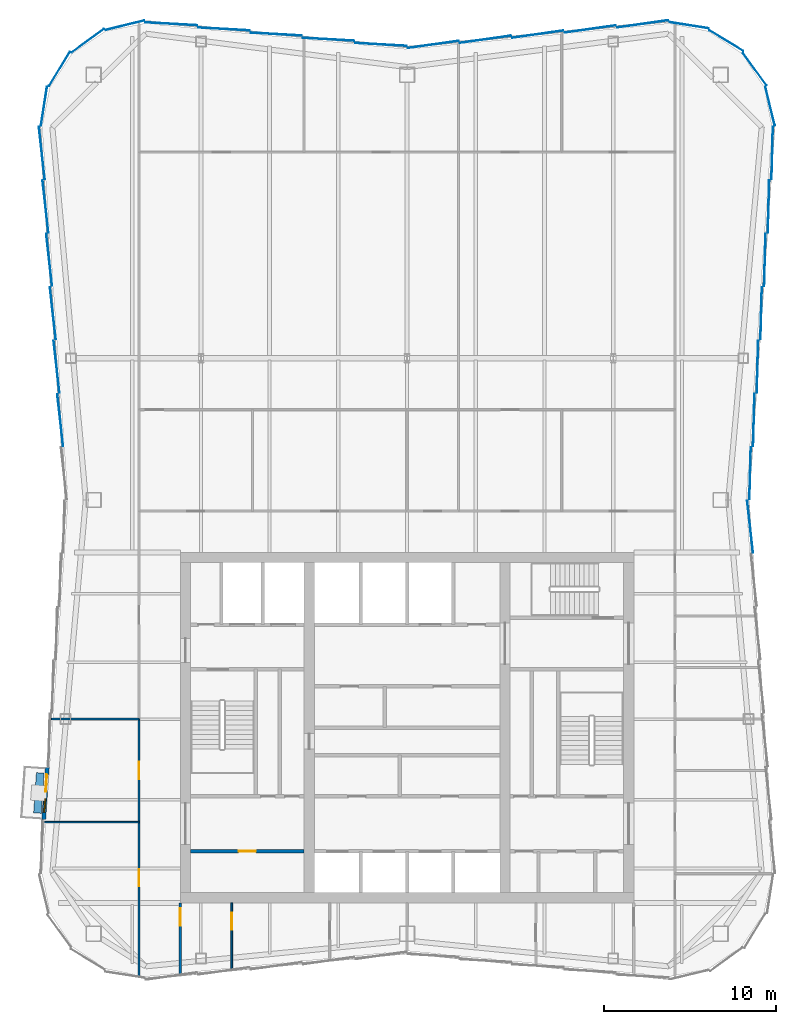
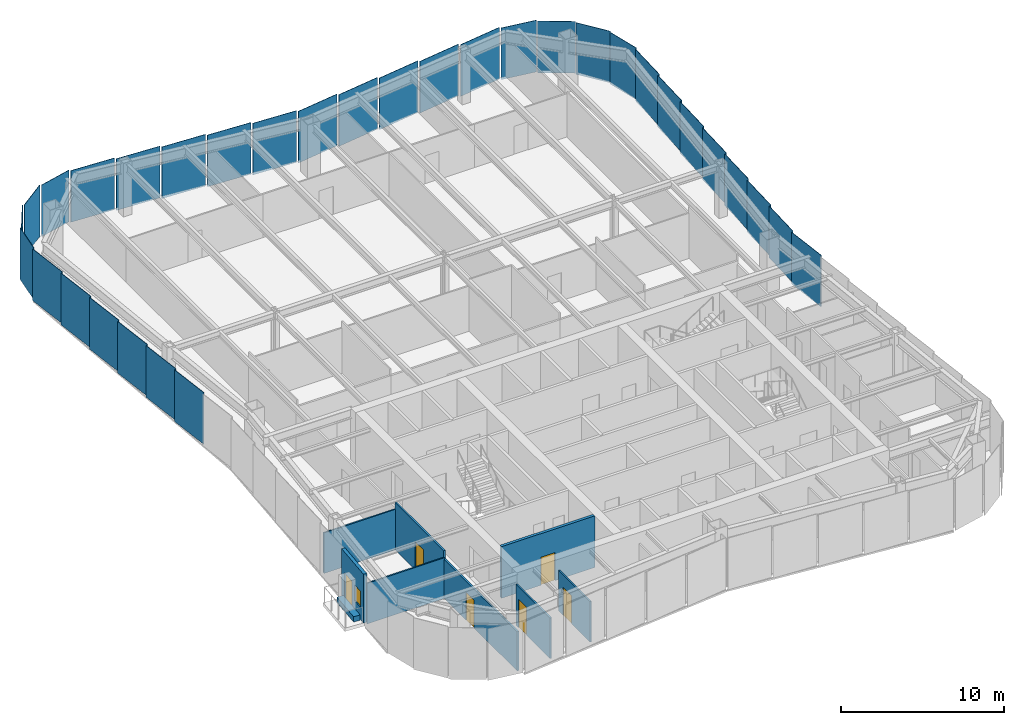
# One storey, part 5 of 10: 32 plates, 9 walls, 6 doors, 1 window, 7 openings, 5 elements without a shape of their own.
"""IFC4 building model written with IfcOpenShell, lengths in metres."""

from ifc_helpers import new_model, si_unit, direction, frame, frame_2d, origin, origin_2d, place, context, subcontext, project, spatial, rectangle, extrude, material, layer, layer_set, type_object, element, fill, aggregate, save


model = new_model("IFC4")

# Units and contexts
model_context = context("Model", 3, precision=1e-05, world=origin(), true_north=direction((0.0, 1.0)))
body_context = subcontext(model_context, "Body", "Model", "MODEL_VIEW")
ifc_project = project(units=[si_unit("LENGTHUNIT", "METRE"), si_unit("AREAUNIT", "SQUARE_METRE"), si_unit("VOLUMEUNIT", "CUBIC_METRE"), si_unit("PLANEANGLEUNIT", "RADIAN"), si_unit("MASSUNIT", "GRAM", prefix="KILO")], contexts=[model_context])

# Site, building, storey
site_placement = place(None, origin())
site = spatial("IfcSite", under=ifc_project, at=site_placement, CompositionType="ELEMENT")
building_placement = place(site_placement, origin())
building = spatial("IfcBuilding", under=site, at=building_placement, Name="Verdant Reach Tower", CompositionType="ELEMENT")
storey_placement = place(building_placement, frame((0.0, 0.0, 326.0)))
storey = spatial("IfcBuildingStorey", under=building, at=storey_placement, Name="L75", CompositionType="ELEMENT", Elevation=326.0)

# Curtain wall, plates
ifc_material_1 = material(Name="Anodised aluminium", Category="aluminium")
curtain_wall_type = type_object("IfcCurtainWallType", Name="EN-CW SYSTEM Z5", PredefinedType="NOTDEFINED", material=ifc_material_1)
curtain_wall_1_placement = place(storey_placement, origin())
curtain_wall_1 = element("IfcCurtainWall", 1, at=curtain_wall_1_placement, inside=storey, type_object=curtain_wall_type, Name="Curtain wall east, L75", PredefinedType="NOTDEFINED")
ifc_material_2 = material(Name="Tinted glass with champagne spandrel", Category="glass")
ifc_layer_1 = layer(ifc_material_2, 0.031982421875)
ifc_layer_set_1 = layer_set([ifc_layer_1], Name="EN-PANEL CHAMPAGNE")
plate_type_1 = type_object("IfcPlateType", Name="EN-PANEL CHAMPAGNE", PredefinedType="CURTAIN_PANEL", material=ifc_layer_set_1)
plate_1_placement = place(storey_placement, frame((19.971923828125, 39.700439453125, -0.219970703125), z_axis=(0.0, 0.0, 1.0), x_axis=(-0.110605344993, 0.993864406073, 0.0)))
plate_1 = element("IfcPlate", 2, at=plate_1_placement, type_object=plate_type_1, Name="Glass panel east face part 1 7.1, L75", PredefinedType="CURTAIN_PANEL", context=body_context, shape_type="SweptSolid", body=[
    extrude(rectangle(XDim=3.04052734375, YDim=0.031982421875, at=origin_2d()), origin(), (0.0, 0.0, 1.0), 3.8701171875),
])
plate_2_placement = place(storey_placement, frame((19.971923828125, 42.799560546875, -0.219970703125), z_axis=(0.0, 0.0, 1.0), x_axis=(0.027053006415, 0.999634000444, 0.0)))
plate_2 = element("IfcPlate", 3, at=plate_2_placement, type_object=plate_type_1, Name="Glass panel east face part 2 1.1, L75", PredefinedType="CURTAIN_PANEL", context=body_context, shape_type="SweptSolid", body=[
    extrude(rectangle(XDim=3.04052734375, YDim=0.031982421875, at=origin_2d()), origin(), (0.0, 0.0, 1.0), 3.8701171875),
])
plate_3_placement = place(storey_placement, frame((21.257568359375, 61.446044921875, -0.219970703125), z_axis=(0.0, 0.0, 1.0), x_axis=(0.026642881595, 0.999645015423, 0.0)))
plate_3 = element("IfcPlate", 4, at=plate_3_placement, type_object=plate_type_1, Name="Glass panel east face part 2 7.1, L75", PredefinedType="CURTAIN_PANEL", context=body_context, shape_type="SweptSolid", body=[
    extrude(rectangle(XDim=3.063720703125, YDim=0.031982421875, at=origin_2d()), origin(), (0.0, 0.0, 1.0), 3.8701171875),
])

curtain_wall_2_placement = place(storey_placement, origin())
curtain_wall_2 = element("IfcCurtainWall", 5, at=curtain_wall_2_placement, inside=storey, type_object=curtain_wall_type, Name="Curtain wall north, L75", PredefinedType="NOTDEFINED")
plate_4_placement = place(storey_placement, frame((4.563720703125, 68.064453125, -0.219970703125), z_axis=(0.0, 0.0, 1.0), x_axis=(-0.990225318365, -0.139476947446, 0.0)))
plate_4 = element("IfcPlate", 6, at=plate_4_placement, type_object=plate_type_1, Name="Glass panel north face part 1 4.1, L75", PredefinedType="CURTAIN_PANEL", context=body_context, shape_type="SweptSolid", body=[
    extrude(rectangle(XDim=2.998779296875, YDim=0.031982421875, at=origin_2d()), origin(), (0.0, 0.0, 1.0), 3.8701171875),
])
plate_5_placement = place(storey_placement, frame((1.519287109375, 67.7646484375, -0.219970703125), z_axis=(0.0, 0.0, 1.0), x_axis=(-0.990200074141, -0.139656053116, 0.0)))
plate_5 = element("IfcPlate", 7, at=plate_5_placement, type_object=plate_type_1, Name="Glass panel north face part 1 5.1, L75", PredefinedType="CURTAIN_PANEL", context=body_context, shape_type="SweptSolid", body=[
    extrude(rectangle(XDim=2.987548828125, YDim=0.031982421875, at=origin_2d()), origin(), (0.0, 0.0, 1.0), 3.8701171875),
])

# Curtain wall, plate
curtain_wall_3_placement = place(storey_placement, origin())
curtain_wall_3 = element("IfcCurtainWall", 8, at=curtain_wall_3_placement, inside=storey, type_object=curtain_wall_type, Name="Curtain wall north-west corner, L75", PredefinedType="NOTDEFINED")
plate_6_placement = place(storey_placement, frame((-21.132080078125, 64.173828125, -0.219970703125), z_axis=(0.0, 0.0, 1.0), x_axis=(-0.154337499461, -0.988018186199, 0.0)))
plate_6 = element("IfcPlate", 9, at=plate_6_placement, type_object=plate_type_1, Name="Glass panel north-west corner 4.1, L75", PredefinedType="CURTAIN_PANEL", context=body_context, shape_type="SweptSolid", body=[
    extrude(rectangle(XDim=2.312744140625, YDim=0.031982421875, at=origin_2d()), origin(), (0.0, 0.0, 1.0), 3.8701171875),
])

# Curtain wall, plates
curtain_wall_4_placement = place(storey_placement, origin())
curtain_wall_4 = element("IfcCurtainWall", 10, at=curtain_wall_4_placement, inside=storey, type_object=curtain_wall_type, Name="Curtain wall west, L75", PredefinedType="NOTDEFINED")
plate_7_placement = place(storey_placement, frame((-21.043212890625, 58.331298828125, -0.219970703125), z_axis=(0.0, 0.0, 1.0), x_axis=(0.110518162674, -0.993874104562, 0.0)))
plate_7 = element("IfcPlate", 11, at=plate_7_placement, type_object=plate_type_1, Name="Glass panel west face part 1 2.1, L75", PredefinedType="CURTAIN_PANEL", context=body_context, shape_type="SweptSolid", body=[
    extrude(rectangle(XDim=3.048583984375, YDim=0.031982421875, at=origin_2d()), origin(), (0.0, 0.0, 1.0), 3.8701171875),
])
plate_8_placement = place(storey_placement, frame((-20.8291015625, 55.22412109375, -0.219970703125), z_axis=(0.0, 0.0, 1.0), x_axis=(0.110518162674, -0.993874104562, 0.0)))
plate_8 = element("IfcPlate", 12, at=plate_8_placement, type_object=plate_type_1, Name="Glass panel west face part 1 3.1, L75", PredefinedType="CURTAIN_PANEL", context=body_context, shape_type="SweptSolid", body=[
    extrude(rectangle(XDim=3.048583984375, YDim=0.031982421875, at=origin_2d()), origin(), (0.0, 0.0, 1.0), 3.8701171875),
])
plate_9_placement = place(storey_placement, frame((-20.61474609375, 52.1171875, -0.219970703125), z_axis=(0.0, 0.0, 1.0), x_axis=(0.110518162674, -0.993874104562, 0.0)))
plate_9 = element("IfcPlate", 13, at=plate_9_placement, type_object=plate_type_1, Name="Glass panel west face part 1 4.1, L75", PredefinedType="CURTAIN_PANEL", context=body_context, shape_type="SweptSolid", body=[
    extrude(rectangle(XDim=3.048583984375, YDim=0.031982421875, at=origin_2d()), origin(), (0.0, 0.0, 1.0), 3.8701171875),
])

# Plate
ifc_material_3 = material(Name="Tinted glass with copper spandrel", Category="glass")
ifc_layer_2 = layer(ifc_material_3, 0.031982421875)
ifc_layer_set_2 = layer_set([ifc_layer_2], Name="EN-PANEL COPPER")
plate_type_2 = type_object("IfcPlateType", Name="EN-PANEL COPPER", PredefinedType="CURTAIN_PANEL", material=ifc_layer_set_2)
plate_10_placement = place(storey_placement, frame((20.18603515625, 45.90283203125, -0.219970703125), z_axis=(0.0, 0.0, 1.0), x_axis=(0.026965318308, 0.999636369691, 0.0)))
plate_10 = element("IfcPlate", 14, at=plate_10_placement, type_object=plate_type_2, Name="Glass panel east face part 2 2.1, L75", PredefinedType="CURTAIN_PANEL", context=body_context, shape_type="SweptSolid", body=[
    extrude(rectangle(XDim=3.048583984375, YDim=0.031982421875, at=origin_2d()), origin(), (0.0, 0.0, 1.0), 3.8701171875),
])

plate_11_placement = place(storey_placement, frame((20.400390625, 49.010009765625, -0.219970703125), z_axis=(0.0, 0.0, 1.0), x_axis=(0.026965318308, 0.999636369691, 0.0)))
plate_11 = element("IfcPlate", 15, at=plate_11_placement, type_object=plate_type_2, Name="Glass panel east face part 2 3.1, L75", PredefinedType="CURTAIN_PANEL", context=body_context, shape_type="SweptSolid", body=[
    extrude(rectangle(XDim=3.048583984375, YDim=0.031982421875, at=origin_2d()), origin(), (0.0, 0.0, 1.0), 3.8701171875),
])

plate_12_placement = place(storey_placement, frame((20.61474609375, 52.1171875, -0.219970703125), z_axis=(0.0, 0.0, 1.0), x_axis=(0.026965318308, 0.999636369691, 0.0)))
plate_12 = element("IfcPlate", 16, at=plate_12_placement, type_object=plate_type_2, Name="Glass panel east face part 2 4.1, L75", PredefinedType="CURTAIN_PANEL", context=body_context, shape_type="SweptSolid", body=[
    extrude(rectangle(XDim=3.048583984375, YDim=0.031982421875, at=origin_2d()), origin(), (0.0, 0.0, 1.0), 3.8701171875),
])

# Curtain wall, plates
curtain_wall_5_placement = place(storey_placement, origin())
curtain_wall_5 = element("IfcCurtainWall", 17, at=curtain_wall_5_placement, inside=storey, type_object=curtain_wall_type, Name="Curtain wall north-east corner, L75", PredefinedType="NOTDEFINED")
plate_13_placement = place(storey_placement, frame((21.132080078125, 64.173828125, -0.219970703125), z_axis=(0.0, 0.0, 1.0), x_axis=(-0.236471447122, 0.971638438256, 0.0)))
plate_13 = element("IfcPlate", 18, at=plate_13_placement, type_object=plate_type_2, Name="Glass panel north-east corner 1.1, L75", PredefinedType="CURTAIN_PANEL", context=body_context, shape_type="SweptSolid", body=[
    extrude(rectangle(XDim=2.312744140625, YDim=0.031982421875, at=origin_2d()), origin(), (0.0, 0.0, 1.0), 3.8701171875),
])
plate_14_placement = place(storey_placement, frame((20.23681640625, 66.33203125, -0.219970703125), z_axis=(0.0, 0.0, 1.0), x_axis=(-0.58992672698, 0.807456783236, 0.0)))
plate_14 = element("IfcPlate", 19, at=plate_14_placement, type_object=plate_type_2, Name="Glass panel north-east corner 2.1, L75", PredefinedType="CURTAIN_PANEL", context=body_context, shape_type="SweptSolid", body=[
    extrude(rectangle(XDim=2.320068359375, YDim=0.031982421875, at=origin_2d()), origin(), (0.0, 0.0, 1.0), 3.8701171875),
])

# Plate
plate_15_placement = place(storey_placement, frame((13.72216796875, 68.964599609375, -0.219970703125), z_axis=(0.0, 0.0, 1.0), x_axis=(-0.990281521639, -0.139077345032, 0.0)))
plate_15 = element("IfcPlate", 20, at=plate_15_placement, type_object=plate_type_2, Name="Glass panel north face part 1 1.1, L75", PredefinedType="CURTAIN_PANEL", context=body_context, shape_type="SweptSolid", body=[
    extrude(rectangle(XDim=3.015625, YDim=0.031982421875, at=origin_2d()), origin(), (0.0, 0.0, 1.0), 3.8701171875),
])

plate_16_placement = place(storey_placement, frame((-1.519287109375, 67.7646484375, -0.219970703125), z_axis=(0.0, 0.0, 1.0), x_axis=(-0.998413420442, 0.05630845301, 0.0)))
plate_16 = element("IfcPlate", 21, at=plate_16_placement, type_object=plate_type_2, Name="Glass panel north face part 2 1.1, L75", PredefinedType="CURTAIN_PANEL", context=body_context, shape_type="SweptSolid", body=[
    extrude(rectangle(XDim=2.987548828125, YDim=0.031982421875, at=origin_2d()), origin(), (0.0, 0.0, 1.0), 3.8701171875),
])

plate_17_placement = place(storey_placement, frame((-4.563720703125, 68.064453125, -0.219970703125), z_axis=(0.0, 0.0, 1.0), x_axis=(-0.998423588956, 0.056127863106, 0.0)))
plate_17 = element("IfcPlate", 22, at=plate_17_placement, type_object=plate_type_2, Name="Glass panel north face part 2 2.1, L75", PredefinedType="CURTAIN_PANEL", context=body_context, shape_type="SweptSolid", body=[
    extrude(rectangle(XDim=2.998779296875, YDim=0.031982421875, at=origin_2d()), origin(), (0.0, 0.0, 1.0), 3.8701171875),
])

plate_18_placement = place(storey_placement, frame((-16.4228515625, 68.88232421875, -0.219970703125), z_axis=(0.0, 0.0, 1.0), x_axis=(-0.971661765526, -0.236375577028, 0.0)))
plate_18 = element("IfcPlate", 23, at=plate_18_placement, type_object=plate_type_2, Name="Glass panel north-west corner 1.1, L75", PredefinedType="CURTAIN_PANEL", context=body_context, shape_type="SweptSolid", body=[
    extrude(rectangle(XDim=2.314453125, YDim=0.031982421875, at=origin_2d()), origin(), (0.0, 0.0, 1.0), 3.8701171875),
])

plate_19_placement = place(storey_placement, frame((-20.400390625, 49.010009765625, -0.219970703125), z_axis=(0.0, 0.0, 1.0), x_axis=(0.110518162674, -0.993874104562, 0.0)))
plate_19 = element("IfcPlate", 24, at=plate_19_placement, type_object=plate_type_2, Name="Glass panel west face part 1 5.1, L75", PredefinedType="CURTAIN_PANEL", context=body_context, shape_type="SweptSolid", body=[
    extrude(rectangle(XDim=3.048583984375, YDim=0.031982421875, at=origin_2d()), origin(), (0.0, 0.0, 1.0), 3.8701171875),
])

plate_20_placement = place(storey_placement, frame((-20.18603515625, 45.90283203125, -0.219970703125), z_axis=(0.0, 0.0, 1.0), x_axis=(0.110518162674, -0.993874104562, 0.0)))
plate_20 = element("IfcPlate", 25, at=plate_20_placement, type_object=plate_type_2, Name="Glass panel west face part 1 6.1, L75", PredefinedType="CURTAIN_PANEL", context=body_context, shape_type="SweptSolid", body=[
    extrude(rectangle(XDim=3.048583984375, YDim=0.031982421875, at=origin_2d()), origin(), (0.0, 0.0, 1.0), 3.8701171875),
])

ifc_material_4 = material(Name="Tinted glass with dark bronze spandrel", Category="glass")
ifc_layer_3 = layer(ifc_material_4, 0.031982421875)
ifc_layer_set_3 = layer_set([ifc_layer_3], Name="EN-PANEL DARK")
plate_type_3 = type_object("IfcPlateType", Name="EN-PANEL DARK", PredefinedType="CURTAIN_PANEL", material=ifc_layer_set_3)
plate_21_placement = place(storey_placement, frame((20.8291015625, 55.22412109375, -0.219970703125), z_axis=(0.0, 0.0, 1.0), x_axis=(0.026965318308, 0.999636369691, 0.0)))
plate_21 = element("IfcPlate", 26, at=plate_21_placement, type_object=plate_type_3, Name="Glass panel east face part 2 5.1, L75", PredefinedType="CURTAIN_PANEL", context=body_context, shape_type="SweptSolid", body=[
    extrude(rectangle(XDim=3.048583984375, YDim=0.031982421875, at=origin_2d()), origin(), (0.0, 0.0, 1.0), 3.8701171875),
])

plate_22_placement = place(storey_placement, frame((21.043212890625, 58.331298828125, -0.219970703125), z_axis=(0.0, 0.0, 1.0), x_axis=(0.026965318308, 0.999636369691, 0.0)))
plate_22 = element("IfcPlate", 27, at=plate_22_placement, type_object=plate_type_3, Name="Glass panel east face part 2 6.1, L75", PredefinedType="CURTAIN_PANEL", context=body_context, shape_type="SweptSolid", body=[
    extrude(rectangle(XDim=3.048583984375, YDim=0.031982421875, at=origin_2d()), origin(), (0.0, 0.0, 1.0), 3.8701171875),
])

aggregate(curtain_wall_1, [plate_1, plate_2, plate_10, plate_11, plate_12, plate_21, plate_22, plate_3])

plate_23_placement = place(storey_placement, frame((18.58203125, 67.98681640625, -0.219970703125), z_axis=(0.0, 0.0, 1.0), x_axis=(-0.853988714885, 0.520291528711, 0.0)))
plate_23 = element("IfcPlate", 28, at=plate_23_placement, type_object=plate_type_3, Name="Glass panel north-east corner 3.1, L75", PredefinedType="CURTAIN_PANEL", context=body_context, shape_type="SweptSolid", body=[
    extrude(rectangle(XDim=2.320068359375, YDim=0.031982421875, at=origin_2d()), origin(), (0.0, 0.0, 1.0), 3.8701171875),
])

plate_24_placement = place(storey_placement, frame((16.4228515625, 68.88232421875, -0.219970703125), z_axis=(0.0, 0.0, 1.0), x_axis=(-0.988033409454, 0.154240013621, 0.0)))
plate_24 = element("IfcPlate", 29, at=plate_24_placement, type_object=plate_type_3, Name="Glass panel north-east corner 4.1, L75", PredefinedType="CURTAIN_PANEL", context=body_context, shape_type="SweptSolid", body=[
    extrude(rectangle(XDim=2.314453125, YDim=0.031982421875, at=origin_2d()), origin(), (0.0, 0.0, 1.0), 3.8701171875),
])

aggregate(curtain_wall_5, [plate_13, plate_14, plate_23, plate_24])

plate_25_placement = place(storey_placement, frame((10.663818359375, 68.66455078125, -0.219970703125), z_axis=(0.0, 0.0, 1.0), x_axis=(-0.990225318365, -0.139476947446, 0.0)))
plate_25 = element("IfcPlate", 30, at=plate_25_placement, type_object=plate_type_3, Name="Glass panel north face part 1 2.1, L75", PredefinedType="CURTAIN_PANEL", context=body_context, shape_type="SweptSolid", body=[
    extrude(rectangle(XDim=2.998779296875, YDim=0.031982421875, at=origin_2d()), origin(), (0.0, 0.0, 1.0), 3.8701171875),
])

plate_26_placement = place(storey_placement, frame((7.61376953125, 68.364501953125, -0.219970703125), z_axis=(0.0, 0.0, 1.0), x_axis=(-0.990225318365, -0.139476947446, 0.0)))
plate_26 = element("IfcPlate", 31, at=plate_26_placement, type_object=plate_type_3, Name="Glass panel north face part 1 3.1, L75", PredefinedType="CURTAIN_PANEL", context=body_context, shape_type="SweptSolid", body=[
    extrude(rectangle(XDim=2.998779296875, YDim=0.031982421875, at=origin_2d()), origin(), (0.0, 0.0, 1.0), 3.8701171875),
])

plate_27_placement = place(storey_placement, frame((-7.61376953125, 68.364501953125, -0.219970703125), z_axis=(0.0, 0.0, 1.0), x_axis=(-0.998423588956, 0.056127863106, 0.0)))
plate_27 = element("IfcPlate", 32, at=plate_27_placement, type_object=plate_type_3, Name="Glass panel north face part 2 3.1, L75", PredefinedType="CURTAIN_PANEL", context=body_context, shape_type="SweptSolid", body=[
    extrude(rectangle(XDim=2.998779296875, YDim=0.031982421875, at=origin_2d()), origin(), (0.0, 0.0, 1.0), 3.8701171875),
])

plate_28_placement = place(storey_placement, frame((-10.663818359375, 68.66455078125, -0.219970703125), z_axis=(0.0, 0.0, 1.0), x_axis=(-0.998423588956, 0.056127863106, 0.0)))
plate_28 = element("IfcPlate", 33, at=plate_28_placement, type_object=plate_type_3, Name="Glass panel north face part 2 4.1, L75", PredefinedType="CURTAIN_PANEL", context=body_context, shape_type="SweptSolid", body=[
    extrude(rectangle(XDim=2.998779296875, YDim=0.031982421875, at=origin_2d()), origin(), (0.0, 0.0, 1.0), 3.8701171875),
])

plate_29_placement = place(storey_placement, frame((-13.72216796875, 68.964599609375, -0.219970703125), z_axis=(0.0, 0.0, 1.0), x_axis=(-0.998446157248, 0.055724959185, 0.0)))
plate_29 = element("IfcPlate", 34, at=plate_29_placement, type_object=plate_type_3, Name="Glass panel north face part 2 5.1, L75", PredefinedType="CURTAIN_PANEL", context=body_context, shape_type="SweptSolid", body=[
    extrude(rectangle(XDim=3.015625, YDim=0.031982421875, at=origin_2d()), origin(), (0.0, 0.0, 1.0), 3.8701171875),
])

aggregate(curtain_wall_2, [plate_15, plate_25, plate_26, plate_4, plate_5, plate_16, plate_17, plate_27, plate_28, plate_29])

plate_30_placement = place(storey_placement, frame((-18.58203125, 67.98681640625, -0.219970703125), z_axis=(0.0, 0.0, 1.0), x_axis=(-0.807456783236, -0.58992672698, 0.0)))
plate_30 = element("IfcPlate", 35, at=plate_30_placement, type_object=plate_type_3, Name="Glass panel north-west corner 2.1, L75", PredefinedType="CURTAIN_PANEL", context=body_context, shape_type="SweptSolid", body=[
    extrude(rectangle(XDim=2.320068359375, YDim=0.031982421875, at=origin_2d()), origin(), (0.0, 0.0, 1.0), 3.8701171875),
])

plate_31_placement = place(storey_placement, frame((-20.23681640625, 66.33203125, -0.219970703125), z_axis=(0.0, 0.0, 1.0), x_axis=(-0.520291528711, -0.853988714885, 0.0)))
plate_31 = element("IfcPlate", 36, at=plate_31_placement, type_object=plate_type_3, Name="Glass panel north-west corner 3.1, L75", PredefinedType="CURTAIN_PANEL", context=body_context, shape_type="SweptSolid", body=[
    extrude(rectangle(XDim=2.320068359375, YDim=0.031982421875, at=origin_2d()), origin(), (0.0, 0.0, 1.0), 3.8701171875),
])

aggregate(curtain_wall_3, [plate_18, plate_30, plate_31, plate_6])

plate_32_placement = place(storey_placement, frame((-21.257568359375, 61.446044921875, -0.219970703125), z_axis=(0.0, 0.0, 1.0), x_axis=(0.110197580247, -0.993909700782, 0.0)))
plate_32 = element("IfcPlate", 37, at=plate_32_placement, type_object=plate_type_3, Name="Glass panel west face part 1 1.1, L75", PredefinedType="CURTAIN_PANEL", context=body_context, shape_type="SweptSolid", body=[
    extrude(rectangle(XDim=3.063720703125, YDim=0.031982421875, at=origin_2d()), origin(), (0.0, 0.0, 1.0), 3.8701171875),
])

aggregate(curtain_wall_4, [plate_32, plate_7, plate_8, plate_9, plate_19, plate_20])

# Wall, opening, door
ifc_material_5 = material(Name="Gypsum board on steel studs", Category="steel")
ifc_layer_4 = layer(ifc_material_5, 0.199951171875)
ifc_layer_set_4 = layer_set([ifc_layer_4], Name="CO-WALL-ROOM")
wall_type_1 = type_object("IfcWallType", Name="CO-WALL-ROOM", PredefinedType="PARTITIONING", material=ifc_layer_set_4)
wall_1_placement = place(storey_placement, frame((-12.60009765625, 20.800048828125, 0.0), z_axis=(0.0, 0.0, 1.0), x_axis=(1.0, 0.0, 0.0)))
wall_1 = element("IfcWall", 38, at=wall_1_placement, inside=storey, type_object=wall_type_1, Name="Core partition, L75", PredefinedType="PARTITIONING", context=body_context, shape_type="SweptSolid", body=[
    extrude(rectangle(XDim=6.60009765625, YDim=0.199951171875, at=frame_2d((3.300048828125, 0.0))), origin(), (0.0, 0.0, 1.0), 3.8701171875),
])
opening_1_placement = place(wall_1_placement, frame((2.800048828125, 0.0, 0.0)))
opening_1 = element("IfcOpeningElement", 39, at=opening_1_placement, cuts=wall_1, Name="Opening CD", PredefinedType="OPENING", context=body_context, shape_type="SweptSolid", body=[
    extrude(rectangle(XDim=1.0, YDim=2.10009765625, at=frame_2d((0.5, 1.050048828125))), frame((0.0, 0.10986328125, 0.0), z_axis=(0.0, -1.0, 0.0), x_axis=(1.0, 0.0, 0.0)), (0.0, 0.0, 1.0), 0.219970703125),
])
ifc_material_6 = material(Name="Timber", Category="wood")
door_type_1 = type_object("IfcDoorType", Name="CO-DOOR-ROOM", OperationType="NOTDEFINED", PredefinedType="DOOR", material=ifc_material_6)
door_1_placement = place(opening_1_placement, origin())
door_1 = element("IfcDoor", 40, at=door_1_placement, inside=storey, type_object=door_type_1, Name="Core room door, L75", OperationType="SINGLE_SWING_LEFT", OverallHeight=2.10009765625, OverallWidth=1.0, PredefinedType="DOOR", context=body_context, shape_type="SweptSolid", body=[
    extrude(rectangle(XDim=1.0, YDim=2.10009765625, at=frame_2d((0.5, 1.050048828125))), frame((0.0, 0.02490234375, 0.0), z_axis=(0.0, -1.0, 0.0), x_axis=(1.0, 0.0, 0.0)), (0.0, 0.0, 1.0), 0.050048828125),
])
fill(opening_1, door_1)

# Wall, openings, door, window
ifc_material_7 = material(Name="Insulated bronze aluminium panel wall", Category="aluminium")
ifc_layer_5 = layer(ifc_material_7, 0.219970703125)
ifc_layer_set_5 = layer_set([ifc_layer_5], Name="EN-INFILL WALL")
wall_type_2 = type_object("IfcWallType", Name="EN-INFILL WALL", PredefinedType="SOLIDWALL", material=ifc_layer_set_5)
wall_2_placement = place(storey_placement, frame((-20.9384765625, 25.687255859375, 0.0), z_axis=(0.0, 0.0, 1.0), x_axis=(-0.068802091615, -0.997630328423, 0.0)))
wall_2 = element("IfcWall", 41, at=wall_2_placement, inside=storey, type_object=wall_type_2, Name="External infill wall, balcony bay 1, L75", PredefinedType="SOLIDWALL", context=body_context, shape_type="SweptSolid", body=[
    extrude(rectangle(XDim=3.044677734375, YDim=0.22998046875, at=frame_2d((1.5224609375, 0.0))), origin(), (0.0, 0.0, 1.0), 3.64990234375),
])
opening_2_placement = place(wall_2_placement, frame((0.414794921875, 0.0, 0.0)))
opening_2 = element("IfcOpeningElement", 42, at=opening_2_placement, cuts=wall_2, Name="Opening BD1", PredefinedType="OPENING", context=body_context, shape_type="SweptSolid", body=[
    extrude(rectangle(XDim=1.0, YDim=2.10009765625, at=frame_2d((0.5, 1.050048828125))), frame((0.0, 0.125, 0.0), z_axis=(0.0, -1.0, 0.0), x_axis=(1.0, 0.0, 0.0)), (0.0, 0.0, 1.0), 0.25),
])
opening_3_placement = place(wall_2_placement, frame((1.82958984375, 0.0, 0.89990234375)))
opening_3 = element("IfcOpeningElement", 43, at=opening_3_placement, cuts=wall_2, Name="Opening BW1", PredefinedType="OPENING", context=body_context, shape_type="SweptSolid", body=[
    extrude(rectangle(XDim=0.800048828125, YDim=1.199951171875, at=frame_2d((0.39990234375, 0.60009765625))), frame((0.0, 0.125, 0.0), z_axis=(0.0, -1.0, 0.0), x_axis=(1.0, 0.0, 0.0)), (0.0, 0.0, 1.0), 0.25),
])
ifc_material_8 = material(Name="Aluminium framed glazed door", Category="aluminium")
door_type_2 = type_object("IfcDoorType", Name="EN-DOOR BALCONY", OperationType="NOTDEFINED", PredefinedType="DOOR", material=ifc_material_8)
door_2_placement = place(opening_2_placement, origin())
door_2 = element("IfcDoor", 44, at=door_2_placement, inside=storey, type_object=door_type_2, Name="Balcony door 1, L75", OperationType="SINGLE_SWING_LEFT", OverallHeight=2.10009765625, OverallWidth=1.0, PredefinedType="DOOR", context=body_context, shape_type="SweptSolid", body=[
    extrude(rectangle(XDim=1.0, YDim=2.10009765625, at=frame_2d((0.5, 1.050048828125))), frame((0.0, 0.02490234375, 0.0), z_axis=(0.0, -1.0, 0.0), x_axis=(1.0, 0.0, 0.0)), (0.0, 0.0, 1.0), 0.050048828125),
])
fill(opening_2, door_2)
ifc_material_9 = material(Name="Aluminium framed glazing", Category="aluminium")
window_type = type_object("IfcWindowType", Name="EN-WINDOW BALCONY", PartitioningType="SINGLE_PANEL", PredefinedType="WINDOW", material=ifc_material_9)
window_placement = place(opening_3_placement, origin())
window = element("IfcWindow", 45, at=window_placement, inside=storey, type_object=window_type, Name="Balcony window 1, L75", OverallHeight=1.199951171875, OverallWidth=0.800048828125, PartitioningType="SINGLE_PANEL", PredefinedType="WINDOW", context=body_context, shape_type="SweptSolid", body=[
    extrude(rectangle(XDim=0.800048828125, YDim=1.199951171875, at=frame_2d((0.39990234375, 0.60009765625))), frame((0.0, 0.030029296875, 0.0), z_axis=(0.0, -1.0, 0.0), x_axis=(1.0, 0.0, 0.0)), (0.0, 0.0, 1.0), 0.06005859375),
])
fill(opening_3, window)

# Walls
ifc_material_10 = material(Name="Precast concrete C30/37", Category="concrete")
ifc_layer_6 = layer(ifc_material_10, 0.449951171875)
ifc_layer_set_6 = layer_set([ifc_layer_6], Name="EN-PLANTER")
wall_type_3 = type_object("IfcWallType", Name="EN-PLANTER", PredefinedType="USERDEFINED", material=ifc_layer_set_6)
wall_3_placement = place(storey_placement, frame((-21.351806640625, 25.364990234375, 0.0), z_axis=(0.0, 0.0, 1.0), x_axis=(-0.068723472833, -0.997635747295, 0.0)))
element("IfcWall", 46, at=wall_3_placement, inside=storey, type_object=wall_type_3, Name="Balcony planter 1, L75", ObjectType="PLANTER", PredefinedType="USERDEFINED", context=body_context, shape_type="SweptSolid", body=[
    extrude(rectangle(XDim=2.3447265625, YDim=0.449951171875, at=frame_2d((1.17236328125, 0.0))), origin(), (0.0, 0.0, 1.0), 0.39990234375),
])
ifc_layer_7 = layer(ifc_material_5, 0.10009765625)
ifc_layer_set_7 = layer_set([ifc_layer_7], Name="FL-W1 Partition 100")
wall_type_4 = type_object("IfcWallType", Name="FL-W1 Partition 100", PredefinedType="PARTITIONING", material=ifc_layer_set_7)
wall_4_placement = place(storey_placement, frame((-15.60009765625, 22.5, 0.0), z_axis=(0.0, 0.0, 1.0), x_axis=(-1.0, 0.0, 0.0)))
element("IfcWall", 47, at=wall_4_placement, inside=storey, type_object=wall_type_4, Name="Partition 75.17", PredefinedType="PARTITIONING", context=body_context, shape_type="SweptSolid", body=[
    extrude(rectangle(XDim=5.52294921875, YDim=0.10009765625, at=frame_2d((2.761474609375, 0.0))), origin(), (0.0, 0.0, 1.0), 3.0400390625),
])
wall_5_placement = place(storey_placement, frame((-15.60009765625, 28.5, 0.0), z_axis=(0.0, 0.0, 1.0), x_axis=(-1.0, 0.0, 0.0)))
element("IfcWall", 48, at=wall_5_placement, inside=storey, type_object=wall_type_4, Name="Partition 75.18", PredefinedType="PARTITIONING", context=body_context, shape_type="SweptSolid", body=[
    extrude(rectangle(XDim=5.109130859375, YDim=0.10009765625, at=frame_2d((2.5546875, 0.0))), origin(), (0.0, 0.0, 1.0), 3.0400390625),
])

# Wall, opening, door
wall_6_placement = place(storey_placement, frame((-10.199951171875, 17.800048828125, 0.0), z_axis=(0.0, 0.0, 1.0), x_axis=(0.0, -1.0, 0.0)))
wall_6 = element("IfcWall", 49, at=wall_6_placement, inside=storey, type_object=wall_type_4, Name="Partition 75.30", PredefinedType="PARTITIONING", context=body_context, shape_type="SweptSolid", body=[
    extrude(rectangle(XDim=3.88330078125, YDim=0.10009765625, at=frame_2d((1.941650390625, 0.0))), origin(), (0.0, 0.0, 1.0), 3.0400390625),
])
opening_4_placement = place(wall_6_placement, frame((0.576416015625, 0.0, 0.0)))
opening_4 = element("IfcOpeningElement", 50, at=opening_4_placement, cuts=wall_6, Name="Opening D3", PredefinedType="OPENING", context=body_context, shape_type="SweptSolid", body=[
    extrude(rectangle(XDim=1.0, YDim=2.10009765625, at=frame_2d((0.5, 1.050048828125))), frame((0.0, 0.06005859375, 0.0), z_axis=(0.0, -1.0, 0.0), x_axis=(1.0, 0.0, 0.0)), (0.0, 0.0, 1.0), 0.1201171875),
])
ifc_material_11 = material(Name="Painted timber door leaf", Category="wood")
door_type_3 = type_object("IfcDoorType", Name="FL-D3 Door 1000x2100", OperationType="NOTDEFINED", PredefinedType="DOOR", material=ifc_material_11)
door_3_placement = place(opening_4_placement, origin())
door_3 = element("IfcDoor", 51, at=door_3_placement, inside=storey, type_object=door_type_3, Name="Door 75-017", OperationType="SINGLE_SWING_LEFT", OverallHeight=2.10009765625, OverallWidth=1.0, PredefinedType="DOOR", context=body_context, shape_type="SweptSolid", body=[
    extrude(rectangle(XDim=1.0, YDim=2.10009765625, at=frame_2d((0.5, 1.050048828125))), frame((0.0, 0.02490234375, 0.0), z_axis=(0.0, -1.0, 0.0), x_axis=(1.0, 0.0, 0.0)), (0.0, 0.0, 1.0), 0.050048828125),
])
fill(opening_4, door_3)

ifc_material_12 = material(Name="Gypsum board on steel studs, fire rated", Category="steel")
ifc_layer_8 = layer(ifc_material_12, 0.125)
ifc_layer_set_8 = layer_set([ifc_layer_8], Name="FL-W2 Corridor wall 125")
wall_type_5 = type_object("IfcWallType", Name="FL-W2 Corridor wall 125", PredefinedType="PARTITIONING", material=ifc_layer_set_8)
wall_7_placement = place(storey_placement, frame((-15.60009765625, 13.489501953125, 0.0), z_axis=(0.0, 0.0, 1.0), x_axis=(0.0, 1.0, 0.0)))
wall_7 = element("IfcWall", 52, at=wall_7_placement, inside=storey, type_object=wall_type_5, Name="Partition 75.01", PredefinedType="PARTITIONING", context=body_context, shape_type="SweptSolid", body=[
    extrude(rectangle(XDim=9.010498046875, YDim=0.125, at=frame_2d((4.50537109375, 0.0))), origin(), (0.0, 0.0, 1.0), 2.929931640625),
])
opening_5_placement = place(wall_7_placement, frame((5.270751953125, 0.0, 0.0)))
opening_5 = element("IfcOpeningElement", 53, at=opening_5_placement, cuts=wall_7, Name="Opening D2", PredefinedType="OPENING", context=body_context, shape_type="SweptSolid", body=[
    extrude(rectangle(XDim=1.0, YDim=2.10009765625, at=frame_2d((0.5, 1.050048828125))), frame((0.0, 0.072509765625, 0.0), z_axis=(0.0, -1.0, 0.0), x_axis=(1.0, 0.0, 0.0)), (0.0, 0.0, 1.0), 0.14501953125),
])
ifc_material_13 = material(Name="Timber door leaf, fire rated", Category="wood")
door_type_4 = type_object("IfcDoorType", Name="FL-D2 Entrance door 1000x2100 FD30", OperationType="NOTDEFINED", PredefinedType="DOOR", material=ifc_material_13)
door_4_placement = place(opening_5_placement, origin())
door_4 = element("IfcDoor", 54, at=door_4_placement, inside=storey, type_object=door_type_4, Name="Door 75-001", OperationType="SINGLE_SWING_RIGHT", OverallHeight=2.10009765625, OverallWidth=1.0, PredefinedType="DOOR", context=body_context, shape_type="SweptSolid", body=[
    extrude(rectangle(XDim=1.0, YDim=2.10009765625, at=frame_2d((0.5, 1.050048828125))), frame((0.0, 0.02490234375, 0.0), z_axis=(0.0, -1.0, 0.0), x_axis=(1.0, 0.0, 0.0)), (0.0, 0.0, 1.0), 0.050048828125),
])
fill(opening_5, door_4)

wall_8_placement = place(storey_placement, frame((-15.60009765625, 22.5, 0.0), z_axis=(0.0, 0.0, 1.0), x_axis=(0.0, 1.0, 0.0)))
wall_8 = element("IfcWall", 55, at=wall_8_placement, inside=storey, type_object=wall_type_5, Name="Partition 75.02", PredefinedType="PARTITIONING", context=body_context, shape_type="SweptSolid", body=[
    extrude(rectangle(XDim=6.0, YDim=0.125, at=frame_2d((3.0, 0.0))), origin(), (0.0, 0.0, 1.0), 3.5400390625),
])
opening_6_placement = place(wall_8_placement, frame((2.5, 0.0, 0.0)))
opening_6 = element("IfcOpeningElement", 56, at=opening_6_placement, cuts=wall_8, Name="Opening D2", PredefinedType="OPENING", context=body_context, shape_type="SweptSolid", body=[
    extrude(rectangle(XDim=1.0, YDim=2.10009765625, at=frame_2d((0.5, 1.050048828125))), frame((0.0, 0.072509765625, 0.0), z_axis=(0.0, -1.0, 0.0), x_axis=(1.0, 0.0, 0.0)), (0.0, 0.0, 1.0), 0.14501953125),
])
door_5_placement = place(opening_6_placement, origin())
door_5 = element("IfcDoor", 57, at=door_5_placement, inside=storey, type_object=door_type_4, Name="Door 75-002", OperationType="SINGLE_SWING_RIGHT", OverallHeight=2.10009765625, OverallWidth=1.0, PredefinedType="DOOR", context=body_context, shape_type="SweptSolid", body=[
    extrude(rectangle(XDim=1.0, YDim=2.10009765625, at=frame_2d((0.5, 1.050048828125))), frame((0.0, 0.02490234375, 0.0), z_axis=(0.0, -1.0, 0.0), x_axis=(1.0, 0.0, 0.0)), (0.0, 0.0, 1.0), 0.050048828125),
])
fill(opening_6, door_5)

wall_9_placement = place(storey_placement, frame((-13.199951171875, 17.800048828125, 0.0), z_axis=(0.0, 0.0, 1.0), x_axis=(0.0, -1.0, 0.0)))
wall_9 = element("IfcWall", 58, at=wall_9_placement, inside=storey, type_object=wall_type_5, Name="Partition 75.10", PredefinedType="PARTITIONING", context=body_context, shape_type="SweptSolid", body=[
    extrude(rectangle(XDim=4.178466796875, YDim=0.125, at=frame_2d((2.08935546875, 0.0))), origin(), (0.0, 0.0, 1.0), 3.0400390625),
])
opening_7_placement = place(wall_9_placement, frame((0.32421875, 0.0, 0.0)))
opening_7 = element("IfcOpeningElement", 59, at=opening_7_placement, cuts=wall_9, Name="Opening D2", PredefinedType="OPENING", context=body_context, shape_type="SweptSolid", body=[
    extrude(rectangle(XDim=1.0, YDim=2.10009765625, at=frame_2d((0.5, 1.050048828125))), frame((0.0, 0.072509765625, 0.0), z_axis=(0.0, -1.0, 0.0), x_axis=(1.0, 0.0, 0.0)), (0.0, 0.0, 1.0), 0.14501953125),
])
door_6_placement = place(opening_7_placement, origin())
door_6 = element("IfcDoor", 60, at=door_6_placement, inside=storey, type_object=door_type_4, Name="Door 75-010", OperationType="SINGLE_SWING_LEFT", OverallHeight=2.10009765625, OverallWidth=1.0, PredefinedType="DOOR", context=body_context, shape_type="SweptSolid", body=[
    extrude(rectangle(XDim=1.0, YDim=2.10009765625, at=frame_2d((0.5, 1.050048828125))), frame((0.0, 0.02490234375, 0.0), z_axis=(0.0, -1.0, 0.0), x_axis=(1.0, 0.0, 0.0)), (0.0, 0.0, 1.0), 0.050048828125),
])
fill(opening_7, door_6)

save(model, "model.ifc")
